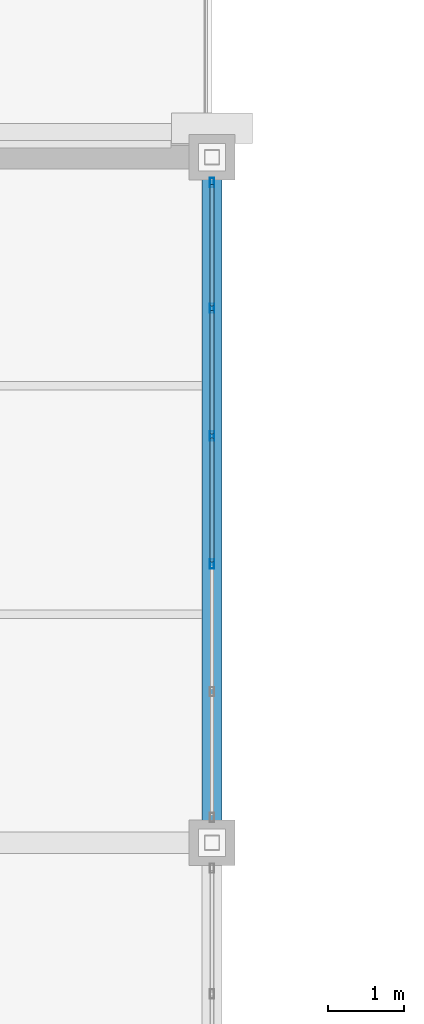
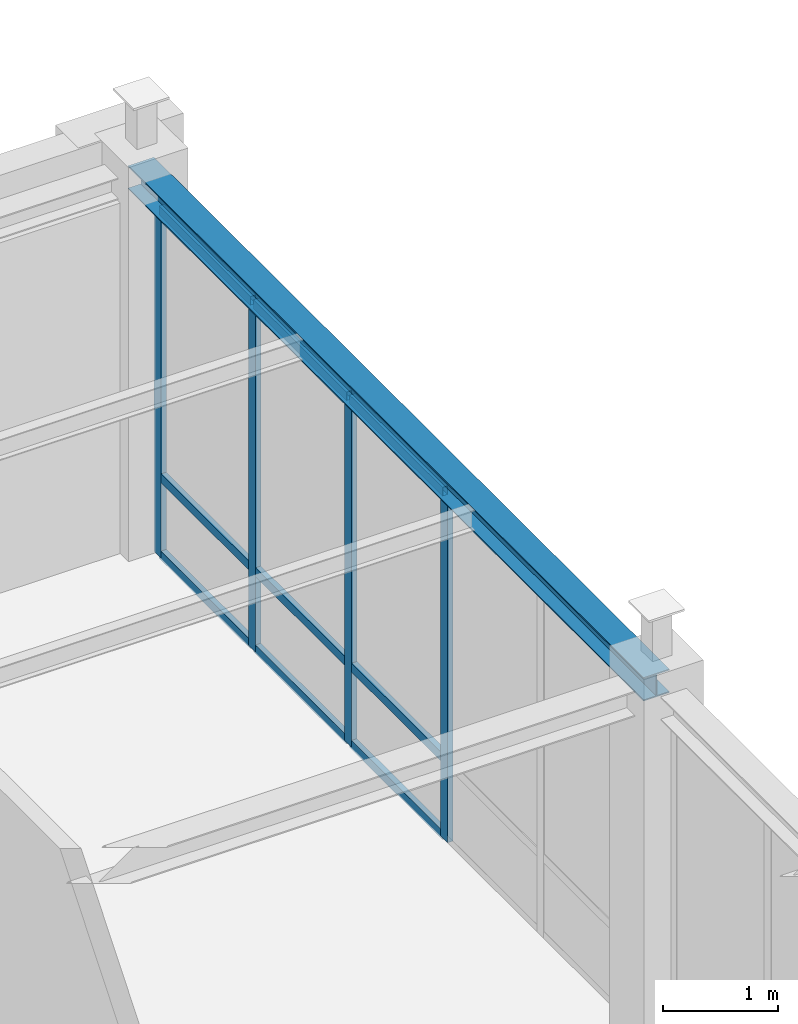
# One storey, part 26 of 36: 13 members, 1 beam, 1 element without a shape of its own.
"""IFC4 building model written with IfcOpenShell, lengths in metres."""

from ifc_helpers import new_model, si_unit, direction, frame, origin, origin_2d, place, context, subcontext, project, spatial, hollow_rectangle, i_section, extrude, material, material_profile, profile_set, type_object, element, aggregate, save


model = new_model("IFC4")

# Units and contexts
model_context = context("Model", 3, precision=1e-05, world=origin(), true_north=direction((0.0, 1.0)))
body_context = subcontext(model_context, "Body", "Model", "MODEL_VIEW")
ifc_project = project(units=[si_unit("LENGTHUNIT", "METRE"), si_unit("AREAUNIT", "SQUARE_METRE"), si_unit("VOLUMEUNIT", "CUBIC_METRE"), si_unit("PLANEANGLEUNIT", "RADIAN"), si_unit("MASSUNIT", "GRAM", prefix="KILO")], contexts=[model_context])

# Site, building, storey
site_placement = place(None, origin())
site = spatial("IfcSite", under=ifc_project, at=site_placement, CompositionType="ELEMENT")
building_placement = place(site_placement, origin())
building = spatial("IfcBuilding", under=site, at=building_placement, Name="Lykobir Media Centre", CompositionType="ELEMENT")
storey_placement = place(building_placement, frame((0.0, 0.0, 27.60009765625)))
storey = spatial("IfcBuildingStorey", under=building, at=storey_placement, Name="L06", CompositionType="ELEMENT", Elevation=27.60009765625)

# Beam
ifc_material_1 = material(Name="Steel S355", Category="steel")
ifc_material_profile_1 = material_profile(ifc_material_1, i_section(OverallWidth=0.260009765625, OverallDepth=0.25, WebThickness=0.007568359375, FlangeThickness=0.012451171875, at=origin_2d()), Name="HEA 260")
ifc_profile_set_1 = profile_set([ifc_material_profile_1], Name="Steel S355")
beam_type = type_object("IfcBeamType", Name="BM-HEA260", PredefinedType="BEAM", material=ifc_profile_set_1)
beam_placement = place(storey_placement, frame((36.0, 36.0, 3.85498046875), z_axis=(0.0, 1.0, 0.0), x_axis=(-1.0, 0.0, 0.0)))
element("IfcBeam", 1, at=beam_placement, inside=storey, type_object=beam_type, Name="Beam BM-L06-0360-0360-0360-0450-3146", PredefinedType="BEAM", context=body_context, shape_type="SweptSolid", body=[
    extrude(i_section(OverallWidth=0.260009765625, OverallDepth=0.25, WebThickness=0.007568359375, FlangeThickness=0.012451171875, at=origin_2d()), origin(), (0.0, 0.0, 1.0), 9.0),
])

# Curtain wall, members
ifc_material_2 = material(Name="Anodized Aluminium AW-6060", Category="aluminium")
curtain_wall_type = type_object("IfcCurtainWallType", Name="CW-COURT-B", PredefinedType="NOTDEFINED", material=ifc_material_2)
curtain_wall_placement = place(storey_placement, origin())
curtain_wall = element("IfcCurtainWall", 2, at=curtain_wall_placement, inside=storey, type_object=curtain_wall_type, Name="Curtain wall CW2-L06-0212", PredefinedType="NOTDEFINED")
ifc_material_profile_2 = material_profile(ifc_material_2, hollow_rectangle(XDim=0.054931640625, YDim=0.1201171875, WallThickness=0.003173828125, at=origin_2d()), Name="ALU MULLION 55x120")
ifc_profile_set_2 = profile_set([ifc_material_profile_2], Name="Anodized Aluminium AW-6060")
member_type_1 = type_object("IfcMemberType", Name="CWM-120", PredefinedType="MULLION", material=ifc_profile_set_2)
member_1_placement = place(storey_placement, frame((36.0, 44.66748046875, 0.0), z_axis=(0.0, 0.0, 1.0), x_axis=(1.0, 0.0, 0.0)))
member_1 = element("IfcMember", 3, at=member_1_placement, type_object=member_type_1, Name="CW2-L06-0212 mullion 1", PredefinedType="MULLION", context=body_context, shape_type="SweptSolid", body=[
    extrude(hollow_rectangle(XDim=0.054931640625, YDim=0.1201171875, WallThickness=0.003173828125, at=origin_2d()), origin(), (0.0, 0.0, 1.0), 3.71484375),
])
member_2_placement = place(storey_placement, frame((36.0, 43.01708984375, 0.0), z_axis=(0.0, 0.0, 1.0), x_axis=(1.0, 0.0, 0.0)))
member_2 = element("IfcMember", 4, at=member_2_placement, type_object=member_type_1, Name="CW2-L06-0212 mullion 2", PredefinedType="MULLION", context=body_context, shape_type="SweptSolid", body=[
    extrude(hollow_rectangle(XDim=0.054931640625, YDim=0.1201171875, WallThickness=0.003173828125, at=origin_2d()), origin(), (0.0, 0.0, 1.0), 3.71484375),
])
member_3_placement = place(storey_placement, frame((36.0, 41.339111328125, 0.0), z_axis=(0.0, 0.0, 1.0), x_axis=(1.0, 0.0, 0.0)))
member_3 = element("IfcMember", 5, at=member_3_placement, type_object=member_type_1, Name="CW2-L06-0212 mullion 3", PredefinedType="MULLION", context=body_context, shape_type="SweptSolid", body=[
    extrude(hollow_rectangle(XDim=0.054931640625, YDim=0.1201171875, WallThickness=0.003173828125, at=origin_2d()), origin(), (0.0, 0.0, 1.0), 3.71484375),
])
member_4_placement = place(storey_placement, frame((36.0, 39.660888671875, 0.0), z_axis=(0.0, 0.0, 1.0), x_axis=(1.0, 0.0, 0.0)))
member_4 = element("IfcMember", 6, at=member_4_placement, type_object=member_type_1, Name="CW2-L06-0212 mullion 4", PredefinedType="MULLION", context=body_context, shape_type="SweptSolid", body=[
    extrude(hollow_rectangle(XDim=0.054931640625, YDim=0.1201171875, WallThickness=0.003173828125, at=origin_2d()), origin(), (0.0, 0.0, 1.0), 3.71484375),
])
ifc_material_profile_3 = material_profile(ifc_material_2, hollow_rectangle(XDim=0.054931640625, YDim=0.094970703125, WallThickness=0.0029296875, at=origin_2d()), Name="ALU TRANSOM 55x95")
ifc_profile_set_3 = profile_set([ifc_material_profile_3], Name="Anodized Aluminium AW-6060")
member_type_2 = type_object("IfcMemberType", Name="CWT-095", PredefinedType="USERDEFINED", material=ifc_profile_set_3)
member_5_placement = place(storey_placement, frame((36.0, 44.639892578125, 0.02734375), z_axis=(0.0, -1.0, 0.0), x_axis=(1.0, 0.0, 0.0)))
member_5 = element("IfcMember", 7, at=member_5_placement, type_object=member_type_2, Name="CW2-L06-0212 transom 1.1", ObjectType="TRANSOM", PredefinedType="USERDEFINED", context=body_context, shape_type="SweptSolid", body=[
    extrude(hollow_rectangle(XDim=0.054931640625, YDim=0.094970703125, WallThickness=0.0029296875, at=origin_2d()), origin(), (0.0, 0.0, 1.0), 1.595458984375),
])
member_6_placement = place(storey_placement, frame((36.0, 44.639892578125, 0.849853515625), z_axis=(0.0, -1.0, 0.0), x_axis=(1.0, 0.0, 0.0)))
member_6 = element("IfcMember", 8, at=member_6_placement, type_object=member_type_2, Name="CW2-L06-0212 transom 1.2", ObjectType="TRANSOM", PredefinedType="USERDEFINED", context=body_context, shape_type="SweptSolid", body=[
    extrude(hollow_rectangle(XDim=0.054931640625, YDim=0.094970703125, WallThickness=0.0029296875, at=origin_2d()), origin(), (0.0, 0.0, 1.0), 1.595458984375),
])
member_7_placement = place(storey_placement, frame((36.0, 44.639892578125, 3.6875), z_axis=(0.0, -1.0, 0.0), x_axis=(1.0, 0.0, 0.0)))
member_7 = element("IfcMember", 9, at=member_7_placement, type_object=member_type_2, Name="CW2-L06-0212 transom 1.3", ObjectType="TRANSOM", PredefinedType="USERDEFINED", context=body_context, shape_type="SweptSolid", body=[
    extrude(hollow_rectangle(XDim=0.054931640625, YDim=0.094970703125, WallThickness=0.0029296875, at=origin_2d()), origin(), (0.0, 0.0, 1.0), 1.595458984375),
])
member_8_placement = place(storey_placement, frame((36.0, 42.989501953125, 0.02734375), z_axis=(0.0, -1.0, 0.0), x_axis=(1.0, 0.0, 0.0)))
member_8 = element("IfcMember", 10, at=member_8_placement, type_object=member_type_2, Name="CW2-L06-0212 transom 2.1", ObjectType="TRANSOM", PredefinedType="USERDEFINED", context=body_context, shape_type="SweptSolid", body=[
    extrude(hollow_rectangle(XDim=0.054931640625, YDim=0.094970703125, WallThickness=0.0029296875, at=origin_2d()), origin(), (0.0, 0.0, 1.0), 1.623046875),
])
member_9_placement = place(storey_placement, frame((36.0, 42.989501953125, 0.849853515625), z_axis=(0.0, -1.0, 0.0), x_axis=(1.0, 0.0, 0.0)))
member_9 = element("IfcMember", 11, at=member_9_placement, type_object=member_type_2, Name="CW2-L06-0212 transom 2.2", ObjectType="TRANSOM", PredefinedType="USERDEFINED", context=body_context, shape_type="SweptSolid", body=[
    extrude(hollow_rectangle(XDim=0.054931640625, YDim=0.094970703125, WallThickness=0.0029296875, at=origin_2d()), origin(), (0.0, 0.0, 1.0), 1.623046875),
])
member_10_placement = place(storey_placement, frame((36.0, 42.989501953125, 3.6875), z_axis=(0.0, -1.0, 0.0), x_axis=(1.0, 0.0, 0.0)))
member_10 = element("IfcMember", 12, at=member_10_placement, type_object=member_type_2, Name="CW2-L06-0212 transom 2.3", ObjectType="TRANSOM", PredefinedType="USERDEFINED", context=body_context, shape_type="SweptSolid", body=[
    extrude(hollow_rectangle(XDim=0.054931640625, YDim=0.094970703125, WallThickness=0.0029296875, at=origin_2d()), origin(), (0.0, 0.0, 1.0), 1.623046875),
])
member_11_placement = place(storey_placement, frame((36.0, 41.3115234375, 0.02734375), z_axis=(0.0, -1.0, 0.0), x_axis=(1.0, 0.0, 0.0)))
member_11 = element("IfcMember", 13, at=member_11_placement, type_object=member_type_2, Name="CW2-L06-0212 transom 3.1", ObjectType="TRANSOM", PredefinedType="USERDEFINED", context=body_context, shape_type="SweptSolid", body=[
    extrude(hollow_rectangle(XDim=0.054931640625, YDim=0.094970703125, WallThickness=0.0029296875, at=origin_2d()), origin(), (0.0, 0.0, 1.0), 1.623046875),
])
member_12_placement = place(storey_placement, frame((36.0, 41.3115234375, 0.849853515625), z_axis=(0.0, -1.0, 0.0), x_axis=(1.0, 0.0, 0.0)))
member_12 = element("IfcMember", 14, at=member_12_placement, type_object=member_type_2, Name="CW2-L06-0212 transom 3.2", ObjectType="TRANSOM", PredefinedType="USERDEFINED", context=body_context, shape_type="SweptSolid", body=[
    extrude(hollow_rectangle(XDim=0.054931640625, YDim=0.094970703125, WallThickness=0.0029296875, at=origin_2d()), origin(), (0.0, 0.0, 1.0), 1.623046875),
])
member_13_placement = place(storey_placement, frame((36.0, 41.3115234375, 3.6875), z_axis=(0.0, -1.0, 0.0), x_axis=(1.0, 0.0, 0.0)))
member_13 = element("IfcMember", 15, at=member_13_placement, type_object=member_type_2, Name="CW2-L06-0212 transom 3.3", ObjectType="TRANSOM", PredefinedType="USERDEFINED", context=body_context, shape_type="SweptSolid", body=[
    extrude(hollow_rectangle(XDim=0.054931640625, YDim=0.094970703125, WallThickness=0.0029296875, at=origin_2d()), origin(), (0.0, 0.0, 1.0), 1.623046875),
])
aggregate(curtain_wall, [member_1, member_2, member_3, member_4, member_5, member_6, member_7, member_8, member_9, member_10, member_11, member_12, member_13])

save(model, "model.ifc")
